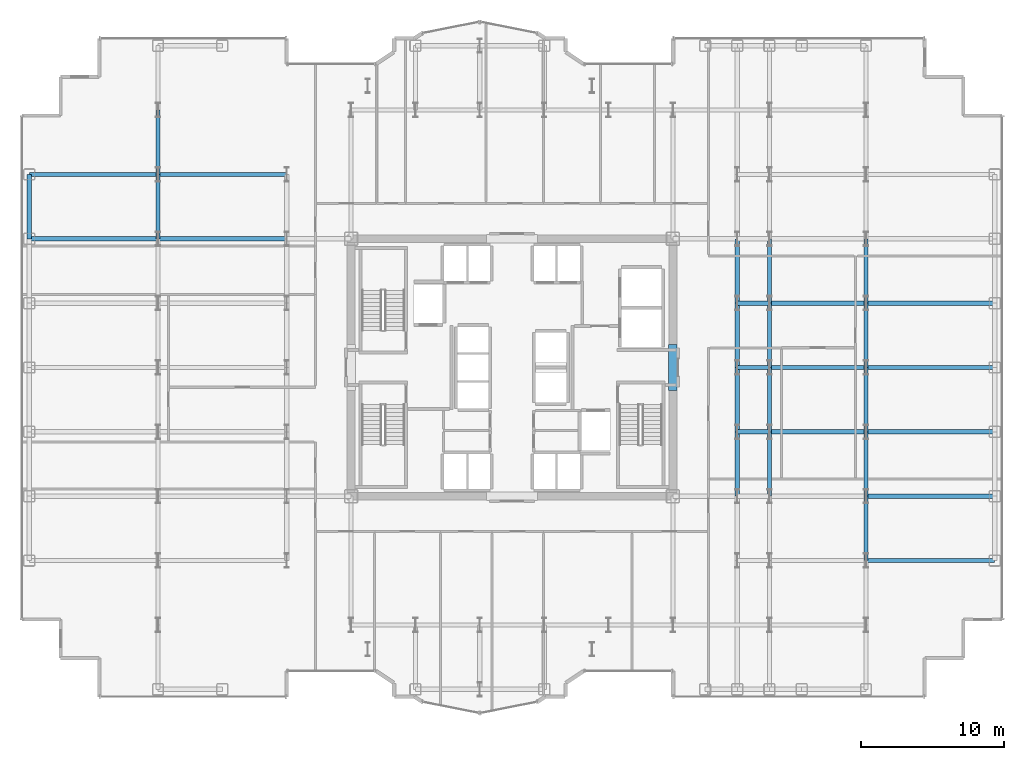
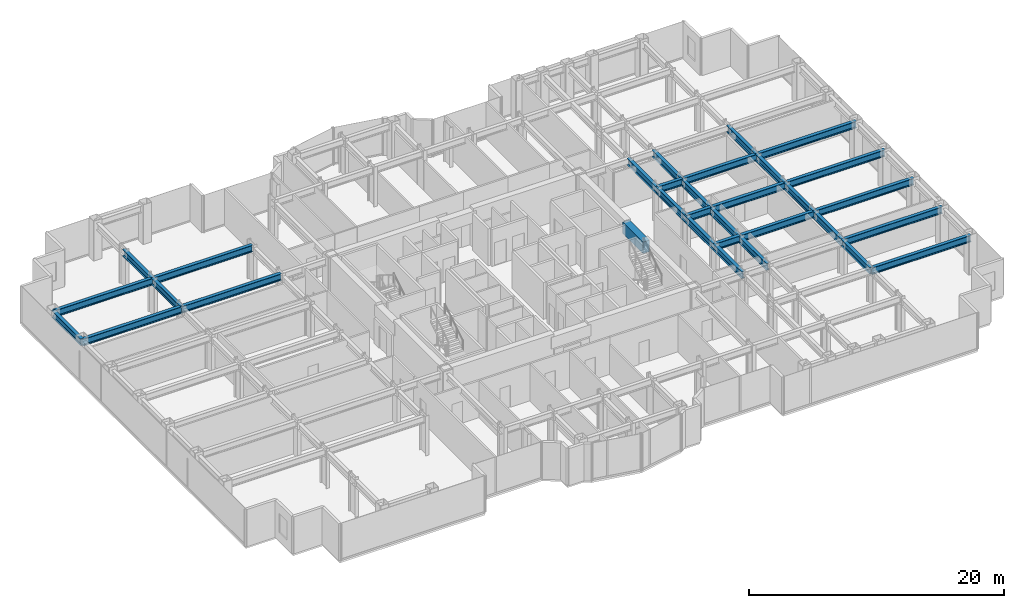
# One storey, part 8 of 26: 32 beams.
"""IFC4 building model written with IfcOpenShell, lengths in metres."""

import ifcopenshell
import ifcopenshell.guid

model = None  # the IFC model being written
_history = None  # IfcOwnerHistory: only IFC2X3 demands one
_inside = {}  # id of a spatial element -> (the spatial element, [elements in it])
_under = {}  # id of a project, library or spatial element -> (it, [spatial elements below it])
_declared = {}  # id of a project -> (the project, [libraries it declares])
_typed = {}  # id of a type object -> (the type object, [elements of that type])
_made_of = {}  # id of a material, layer set ... -> (it, [elements and type objects made of it])


def new_model(schema):
    """Start an empty IFC model of exactly this schema.

    Asked for "IFC4X3", IfcOpenShell would pick the latest addendum, in which some entities
    have other attributes; the version numbers below select the first issue.
    IFC2X3 requires an IfcOwnerHistory on every rooted entity: one is made here for all.
    """
    global model, _history
    if schema == "IFC4X3":
        model = ifcopenshell.file(schema_version=(4, 3, 0, 0))
    else:
        model = ifcopenshell.file(schema=schema)
    _inside.clear()
    _under.clear()
    _declared.clear()
    _typed.clear()
    _made_of.clear()
    _history = None
    if model.schema == "IFC2X3":
        org = make("IfcOrganization", Name="unknown")
        user = make(
            "IfcPersonAndOrganization",
            ThePerson=make("IfcPerson", FamilyName="unknown"),
            TheOrganization=org,
        )
        app = make(
            "IfcApplication",
            ApplicationDeveloper=org,
            Version="unknown",
            ApplicationFullName="unknown",
            ApplicationIdentifier="unknown",
        )
        _history = make(
            "IfcOwnerHistory",
            OwningUser=user,
            OwningApplication=app,
            ChangeAction="ADDED",
            CreationDate=0,
        )
    return model


def make(cls, **values):
    """One entity of the class cls with the attributes given. An attribute that is None is left unset."""
    return model.create_entity(
        cls, **{name: value for name, value in values.items() if value is not None}
    )


def rooted(cls, **values):
    """An entity with a GlobalId (a new one), such as an element, a storey or a relation."""
    return make(cls, GlobalId=ifcopenshell.guid.new(), OwnerHistory=_history, **values)


def si_unit(unit_type, name, prefix=None):
    """IfcSIUnit, for example si_unit("LENGTHUNIT", "METRE", prefix="MILLI")."""
    return make("IfcSIUnit", UnitType=unit_type, Prefix=prefix, Name=name)


def assignment(units):
    """IfcUnitAssignment: the units of a project."""
    return None if units is None else make("IfcUnitAssignment", Units=units)


def point(xyz):
    """IfcCartesianPoint."""
    return None if xyz is None else make("IfcCartesianPoint", Coordinates=xyz)


def direction(xyz):
    """IfcDirection."""
    return None if xyz is None else make("IfcDirection", DirectionRatios=xyz)


def frame(location, z_axis=None, x_axis=None):
    """IfcAxis2Placement3D, a coordinate frame: its origin and axes. An axis left out is left unset."""
    return make(
        "IfcAxis2Placement3D",
        Location=point(location),
        Axis=direction(z_axis),
        RefDirection=direction(x_axis),
    )


def frame_2d(location, x_axis=None):
    """IfcAxis2Placement2D, a coordinate frame in the plane: its origin and x axis."""
    return make(
        "IfcAxis2Placement2D", Location=point(location), RefDirection=direction(x_axis)
    )


def origin():
    """The frame at (0, 0, 0) with its axes left unset."""
    return frame((0.0, 0.0, 0.0))


def origin_2d():
    """The frame at (0, 0) in the plane with its x axis left unset."""
    return frame_2d((0.0, 0.0))


def place(relative_to, where):
    """IfcLocalPlacement: puts the frame where relative to a parent placement (None: the world)."""
    return make(
        "IfcLocalPlacement", PlacementRelTo=relative_to, RelativePlacement=where
    )


def context(
    kind, dimensions, precision=None, world=None, true_north=None, identifier=None
):
    """IfcGeometricRepresentationContext, for example the 3D "Model" context."""
    return make(
        "IfcGeometricRepresentationContext",
        ContextIdentifier=identifier,
        ContextType=kind,
        CoordinateSpaceDimension=dimensions,
        Precision=precision,
        WorldCoordinateSystem=world,
        TrueNorth=true_north,
    )


def subcontext(parent, identifier, kind, view, scale=None):
    """IfcGeometricRepresentationSubContext, for example "Body" below "Model"."""
    return make(
        "IfcGeometricRepresentationSubContext",
        ContextIdentifier=identifier,
        ContextType=kind,
        ParentContext=parent,
        TargetScale=scale,
        TargetView=view,
    )


def project(units=None, contexts=None):
    """IfcProject with its units and contexts."""
    return rooted(
        "IfcProject",
        Name="project",
        RepresentationContexts=contexts,
        UnitsInContext=assignment(units),
    )


def spatial(cls, under=None, at=None, **own):
    """A site, building, storey or space (cls), placed at a placement, below another one or the project."""
    s = rooted(cls, ObjectPlacement=at, **own)
    if under is not None:
        _under.setdefault(under.id(), (under, []))[1].append(s)
    return s


def profile(cls, at=None, kind="AREA", **sizes):
    """A parametric profile (cls). Its sizes go by their IFC names, for example OverallWidth=200.0."""
    return make(cls, ProfileType=kind, Position=at, **sizes)


def rectangle(**sizes):
    """IfcRectangleProfileDef."""
    return profile("IfcRectangleProfileDef", **sizes)


def i_section(**sizes):
    """IfcIShapeProfileDef."""
    return profile("IfcIShapeProfileDef", **sizes)


def extrude(swept, where, along, depth):
    """IfcExtrudedAreaSolid: the profile swept, set in the frame where, extruded along a direction by depth."""
    return make(
        "IfcExtrudedAreaSolid",
        SweptArea=swept,
        Position=where,
        ExtrudedDirection=direction(along),
        Depth=depth,
    )


def shape(context_of_items, identifier, shape_type, items):
    """IfcShapeRepresentation: the items that make up one representation, for example the "Body"."""
    return make(
        "IfcShapeRepresentation",
        ContextOfItems=context_of_items,
        RepresentationIdentifier=identifier,
        RepresentationType=shape_type,
        Items=items,
    )


def source(mapping_origin, context_of_items, identifier, shape_type, items):
    """IfcRepresentationMap: a shape defined once, which mapped items show again and again."""
    return make(
        "IfcRepresentationMap",
        MappingOrigin=mapping_origin,
        MappedRepresentation=shape(context_of_items, identifier, shape_type, items),
    )


def transform(
    local_origin,
    x_axis=None,
    y_axis=None,
    z_axis=None,
    scale=None,
    scale2=None,
    scale3=None,
    uniform=True,
):
    """IfcCartesianTransformationOperator3D, or its non-uniform kind. x_axis, y_axis, z_axis: its Axis1, 2, 3."""
    if uniform:
        return make(
            "IfcCartesianTransformationOperator3D",
            Axis1=direction(x_axis),
            Axis2=direction(y_axis),
            LocalOrigin=point(local_origin),
            Scale=scale,
            Axis3=direction(z_axis),
        )
    return make(
        "IfcCartesianTransformationOperator3DnonUniform",
        Axis1=direction(x_axis),
        Axis2=direction(y_axis),
        LocalOrigin=point(local_origin),
        Scale=scale,
        Axis3=direction(z_axis),
        Scale2=scale2,
        Scale3=scale3,
    )


def mapped(mapping_source, mapping_target):
    """IfcMappedItem: shows the shape of a source again, moved by a transform."""
    return make(
        "IfcMappedItem", MappingSource=mapping_source, MappingTarget=mapping_target
    )


def material(Name=None, Category=None):
    """IfcMaterial."""
    return make("IfcMaterial", Name=Name, Category=Category)


def material_profile(
    of_material, cross_section, Name=None, Category=None, Priority=None
):
    """IfcMaterialProfile: a cross section and its material."""
    return make(
        "IfcMaterialProfile",
        Name=Name,
        Material=of_material,
        Profile=cross_section,
        Priority=Priority,
        Category=Category,
    )


def profile_set(profiles, Name=None, composite=None):
    """IfcMaterialProfileSet."""
    return make(
        "IfcMaterialProfileSet",
        Name=Name,
        MaterialProfiles=profiles,
        CompositeProfile=composite,
    )


def made_of(thing, what):
    """Note that an element or type object is made of a material, layer set ...; save() writes the relation."""
    if what is not None:
        _made_of.setdefault(what.id(), (what, []))[1].append(thing)
    return thing


def type_object(cls, material=None, **own):
    """A type object (cls), such as IfcWallType, which elements share."""
    return made_of(rooted(cls, **own), material)


def element(
    cls,
    number,
    at=None,
    inside=None,
    cuts=None,
    type_object=None,
    material=None,
    context=None,
    identifier="Body",
    shape_type=None,
    held_by="IfcProductDefinitionShape",
    body=None,
    shapes=None,
    **own,
):
    """One element of the class cls, such as IfcWall. Its Tag is "e" and its number.

    at: its placement. inside: the storey or other place that contains it. cuts: it is an
    opening in that element (IfcRelVoidsElement). A single representation is given by context,
    identifier, shape_type and body (its items); several are given by shapes. held_by: the class
    of the entity that holds the representations. save() writes the other relations.
    """
    e = rooted(cls, Tag="e%d" % number, ObjectPlacement=at, **own)
    if body is not None:
        shapes = [shape(context, identifier, shape_type, body)]
    if shapes is not None:
        e.Representation = make(held_by, Representations=shapes)
    if inside is not None:
        _inside.setdefault(inside.id(), (inside, []))[1].append(e)
    if cuts is not None:
        rooted(
            "IfcRelVoidsElement", RelatingBuildingElement=cuts, RelatedOpeningElement=e
        )
    if type_object is not None:
        _typed.setdefault(type_object.id(), (type_object, []))[1].append(e)
    return made_of(e, material)


def aggregate(whole, parts):
    """IfcRelAggregates: a whole, such as a stair, and the parts it consists of."""
    return rooted("IfcRelAggregates", RelatingObject=whole, RelatedObjects=parts)


def save(model, path):
    """Write the relations noted so far, then the file.

    IfcRelAggregates (storeys below a building ...), IfcRelContainedInSpatialStructure (elements
    in a storey), IfcRelDefinesByType, IfcRelAssociatesMaterial and IfcRelDeclares: one each for
    every whole, place, type object, material and project.
    """
    for whole, parts in _under.values():
        aggregate(whole, parts)
    for where, things in _inside.values():
        rooted(
            "IfcRelContainedInSpatialStructure",
            RelatedElements=things,
            RelatingStructure=where,
        )
    for kind, things in _typed.values():
        rooted("IfcRelDefinesByType", RelatedObjects=things, RelatingType=kind)
    for what, things in _made_of.values():
        rooted("IfcRelAssociatesMaterial", RelatedObjects=things, RelatingMaterial=what)
    for by, libraries in _declared.values():
        rooted("IfcRelDeclares", RelatingContext=by, RelatedDefinitions=libraries)
    model.write(path)


model = new_model("IFC4")

# Units and contexts
model_context = context("Model", 3, precision=1e-05, world=origin(), true_north=direction((0.0, 1.0)))
body_context = subcontext(model_context, "Body", "Model", "MODEL_VIEW")
ifc_project = project(units=[si_unit("LENGTHUNIT", "METRE"), si_unit("AREAUNIT", "SQUARE_METRE"), si_unit("VOLUMEUNIT", "CUBIC_METRE"), si_unit("PLANEANGLEUNIT", "RADIAN"), si_unit("MASSUNIT", "GRAM", prefix="KILO")], contexts=[model_context])

# Site, building, storey
site_placement = place(None, origin())
site = spatial("IfcSite", under=ifc_project, at=site_placement, CompositionType="ELEMENT")
building_placement = place(site_placement, origin())
building = spatial("IfcBuilding", under=site, at=building_placement, Name="Nefas-Gora Pilgrimage Tower", CompositionType="ELEMENT")
storey_placement = place(building_placement, frame((0.0, 0.0, 121.199951171875)))
storey = spatial("IfcBuildingStorey", under=building, at=storey_placement, Name="L29", CompositionType="ELEMENT", Elevation=121.199951171875)

# Beams
ifc_material_1 = material(Name="Concrete C60/75", Category="concrete")
ifc_material_profile_1 = material_profile(ifc_material_1, rectangle(XDim=0.60009765625, YDim=1.10009765625, at=origin_2d()), Name="RC 600x1100")
ifc_profile_set_1 = profile_set([ifc_material_profile_1], Name="Concrete C60/75")
beam_type_1 = type_object("IfcBeamType", Name="BM-LIN-RC1100", PredefinedType="LINTEL", material=ifc_profile_set_1)
shared_shape_1 = source(origin(), body_context, "Body", "SweptSolid", [
    extrude(rectangle(XDim=0.60009765625, YDim=1.10009765625, at=origin_2d()), origin(), (0.0, 0.0, 1.0), 3.2001953125),
])
beam_1_placement = place(storey_placement, frame((11.25, -1.60009765625, 3.0), z_axis=(0.0, 1.0, 0.0), x_axis=(-1.0, 0.0, 0.0)))
element("IfcBeam", 1, at=beam_1_placement, inside=storey, type_object=beam_type_1, Name="L29 Core Coupling Lintel Beam E", PredefinedType="LINTEL", context=body_context, shape_type="MappedRepresentation", body=[
    mapped(shared_shape_1, transform((0.0, 0.0, 0.0), x_axis=(1.0, 0.0, 0.0), y_axis=(0.0, 1.0, 0.0), z_axis=(0.0, 0.0, 1.0), scale=1.0)),
])
ifc_material_2 = material(Name="Steel S355", Category="steel")
ifc_material_profile_2 = material_profile(ifc_material_2, i_section(OverallWidth=0.300048828125, OverallDepth=0.64990234375, WebThickness=0.01611328125, FlangeThickness=0.031005859375, FilletRadius=0.027099609375, at=origin_2d()), Name="HEB 650")
ifc_profile_set_2 = profile_set([ifc_material_profile_2], Name="Steel S355")
beam_type_2 = type_object("IfcBeamType", Name="BM-SPN-HEB500", PredefinedType="SPANDREL", material=ifc_profile_set_2)
shared_shape_2 = source(origin(), body_context, "Body", "SweptSolid", [
    extrude(i_section(OverallWidth=0.300048828125, OverallDepth=0.64990234375, WebThickness=0.01611328125, FlangeThickness=0.031005859375, FilletRadius=0.027099609375, at=origin_2d()), origin(), (0.0, 0.0, 1.0), 4.5),
])
beam_2_placement = place(storey_placement, frame((-33.75, 9.0, 3.22509765625), z_axis=(0.0, 1.0, 0.0), x_axis=(-1.0, 0.0, 0.0)))
element("IfcBeam", 2, at=beam_2_placement, inside=storey, type_object=beam_type_2, Name="L29 SP-02 beam", PredefinedType="SPANDREL", context=body_context, shape_type="MappedRepresentation", body=[
    mapped(shared_shape_2, transform((0.0, 0.0, 0.0), x_axis=(1.0, 0.0, 0.0), y_axis=(0.0, 1.0, 0.0), z_axis=(0.0, 0.0, 1.0), scale=1.0)),
])
ifc_material_profile_3 = material_profile(ifc_material_2, i_section(OverallWidth=0.300048828125, OverallDepth=0.64990234375, WebThickness=0.01611328125, FlangeThickness=0.031005859375, FilletRadius=0.027099609375, at=origin_2d()), Name="HEB 650")
ifc_profile_set_3 = profile_set([ifc_material_profile_3], Name="Steel S355")
beam_type_3 = type_object("IfcBeamType", Name="BM-GIR-HEB650", PredefinedType="BEAM", material=ifc_profile_set_3)
shared_shape_3 = source(origin(), body_context, "Body", "SweptSolid", [
    extrude(i_section(OverallWidth=0.300048828125, OverallDepth=0.64990234375, WebThickness=0.01611328125, FlangeThickness=0.031005859375, FilletRadius=0.027099609375, at=origin_2d()), origin(), (0.0, 0.0, 1.0), 9.0),
])
for number, where, z_axis, x_axis, name in (
    (3, (-33.75, 9.0, 3.22509765625), (1.0, 0.0, 0.0), (0.0, 1.0, 0.0), "L29 G-03 beam"),
    (4, (-33.75, 13.5, 3.22509765625), (1.0, 0.0, 0.0), (0.0, 1.0, 0.0), "L29 G-03 beam"),
    (5, (-24.75, 9.0, 3.22509765625), (1.0, 0.0, 0.0), (0.0, 1.0, 0.0), "L29 G-03 beam"),
    (6, (-24.75, 13.5, 3.22509765625), (1.0, 0.0, 0.0), (0.0, 1.0, 0.0), "L29 G-03 beam"),
    (7, (24.75, -13.5, 3.22509765625), (1.0, 0.0, 0.0), (0.0, 1.0, 0.0), "L29 G-03 beam"),
    (8, (24.75, -9.0, 3.22509765625), (1.0, 0.0, 0.0), (0.0, 1.0, 0.0), "L29 G-03 beam"),
    (9, (24.75, -4.5, 3.22509765625), (1.0, 0.0, 0.0), (0.0, 1.0, 0.0), "L29 G-03 beam"),
    (10, (24.75, 0.0, 3.22509765625), (1.0, 0.0, 0.0), (0.0, 1.0, 0.0), "L29 G-03 beam"),
    (11, (24.75, 4.5, 3.22509765625), (1.0, 0.0, 0.0), (0.0, 1.0, 0.0), "L29 G-03 beam"),
):
    element("IfcBeam", number, at=place(storey_placement, frame(where, z_axis=z_axis, x_axis=x_axis)), inside=storey, type_object=beam_type_3, Name=name, PredefinedType="BEAM", context=body_context, shape_type="MappedRepresentation", body=[
        mapped(shared_shape_3, transform((0.0, 0.0, 0.0), x_axis=(1.0, 0.0, 0.0), y_axis=(0.0, 1.0, 0.0), z_axis=(0.0, 0.0, 1.0), scale=1.0)),
    ])
shared_shape_4 = source(origin(), body_context, "Body", "SweptSolid", [
    extrude(i_section(OverallWidth=0.300048828125, OverallDepth=0.64990234375, WebThickness=0.01611328125, FlangeThickness=0.031005859375, FilletRadius=0.027099609375, at=origin_2d()), origin(), (0.0, 0.0, 1.0), 4.5),
])
for number, where, z_axis, x_axis, name in (
    (12, (-24.75, 9.0, 3.22509765625), (0.0, 1.0, 0.0), (-1.0, 0.0, 0.0), "L29 G-03 beam"),
    (13, (-24.75, 13.5, 3.22509765625), (0.0, 1.0, 0.0), (-1.0, 0.0, 0.0), "L29 G-03 beam"),
    (14, (15.75, -9.0, 3.22509765625), (0.0, 1.0, 0.0), (-1.0, 0.0, 0.0), "L29 G-03 beam"),
    (15, (15.75, -4.5, 3.22509765625), (0.0, 1.0, 0.0), (-1.0, 0.0, 0.0), "L29 G-03 beam"),
    (16, (15.75, 0.0, 3.22509765625), (0.0, 1.0, 0.0), (-1.0, 0.0, 0.0), "L29 G-03 beam"),
    (17, (15.75, 4.5, 3.22509765625), (0.0, 1.0, 0.0), (-1.0, 0.0, 0.0), "L29 G-03 beam"),
    (18, (18.0, -9.0, 3.22509765625), (0.0, 1.0, 0.0), (-1.0, 0.0, 0.0), "L29 G-03 beam"),
    (19, (18.0, -4.5, 3.22509765625), (0.0, 1.0, 0.0), (-1.0, 0.0, 0.0), "L29 G-03 beam"),
    (20, (18.0, 0.0, 3.22509765625), (0.0, 1.0, 0.0), (-1.0, 0.0, 0.0), "L29 G-03 beam"),
    (21, (18.0, 4.5, 3.22509765625), (0.0, 1.0, 0.0), (-1.0, 0.0, 0.0), "L29 G-03 beam"),
    (22, (24.75, -13.5, 3.22509765625), (0.0, 1.0, 0.0), (-1.0, 0.0, 0.0), "L29 G-03 beam"),
    (23, (24.75, -9.0, 3.22509765625), (0.0, 1.0, 0.0), (-1.0, 0.0, 0.0), "L29 G-03 beam"),
    (24, (24.75, -4.5, 3.22509765625), (0.0, 1.0, 0.0), (-1.0, 0.0, 0.0), "L29 G-03 beam"),
    (25, (24.75, 0.0, 3.22509765625), (0.0, 1.0, 0.0), (-1.0, 0.0, 0.0), "L29 G-03 beam"),
    (26, (24.75, 4.5, 3.22509765625), (0.0, 1.0, 0.0), (-1.0, 0.0, 0.0), "L29 G-03 beam"),
):
    element("IfcBeam", number, at=place(storey_placement, frame(where, z_axis=z_axis, x_axis=x_axis)), inside=storey, type_object=beam_type_3, Name=name, PredefinedType="BEAM", context=body_context, shape_type="MappedRepresentation", body=[
        mapped(shared_shape_4, transform((0.0, 0.0, 0.0), x_axis=(1.0, 0.0, 0.0), y_axis=(0.0, 1.0, 0.0), z_axis=(0.0, 0.0, 1.0), scale=1.0)),
    ])
shared_shape_5 = source(origin(), body_context, "Body", "SweptSolid", [
    extrude(i_section(OverallWidth=0.300048828125, OverallDepth=0.64990234375, WebThickness=0.01611328125, FlangeThickness=0.031005859375, FilletRadius=0.027099609375, at=origin_2d()), origin(), (0.0, 0.0, 1.0), 6.75),
])
for number, where, z_axis, x_axis, name in (
    (27, (18.0, -4.5, 3.22509765625), (1.0, 0.0, 0.0), (0.0, 1.0, 0.0), "L29 G-03 beam"),
    (28, (18.0, 0.0, 3.22509765625), (1.0, 0.0, 0.0), (0.0, 1.0, 0.0), "L29 G-03 beam"),
    (29, (18.0, 4.5, 3.22509765625), (1.0, 0.0, 0.0), (0.0, 1.0, 0.0), "L29 G-03 beam"),
):
    element("IfcBeam", number, at=place(storey_placement, frame(where, z_axis=z_axis, x_axis=x_axis)), inside=storey, type_object=beam_type_3, Name=name, PredefinedType="BEAM", context=body_context, shape_type="MappedRepresentation", body=[
        mapped(shared_shape_5, transform((0.0, 0.0, 0.0), x_axis=(1.0, 0.0, 0.0), y_axis=(0.0, 1.0, 0.0), z_axis=(0.0, 0.0, 1.0), scale=1.0)),
    ])
shared_shape_6 = source(origin(), body_context, "Body", "SweptSolid", [
    extrude(i_section(OverallWidth=0.300048828125, OverallDepth=0.64990234375, WebThickness=0.01611328125, FlangeThickness=0.031005859375, FilletRadius=0.027099609375, at=origin_2d()), origin(), (0.0, 0.0, 1.0), 2.25),
])
for number, where, z_axis, x_axis, name in (
    (30, (15.75, -4.5, 3.22509765625), (1.0, 0.0, 0.0), (0.0, 1.0, 0.0), "L29 G-03 beam"),
    (31, (15.75, 0.0, 3.22509765625), (1.0, 0.0, 0.0), (0.0, 1.0, 0.0), "L29 G-03 beam"),
    (32, (15.75, 4.5, 3.22509765625), (1.0, 0.0, 0.0), (0.0, 1.0, 0.0), "L29 G-03 beam"),
):
    element("IfcBeam", number, at=place(storey_placement, frame(where, z_axis=z_axis, x_axis=x_axis)), inside=storey, type_object=beam_type_3, Name=name, PredefinedType="BEAM", context=body_context, shape_type="MappedRepresentation", body=[
        mapped(shared_shape_6, transform((0.0, 0.0, 0.0), x_axis=(1.0, 0.0, 0.0), y_axis=(0.0, 1.0, 0.0), z_axis=(0.0, 0.0, 1.0), scale=1.0)),
    ])

save(model, "model.ifc")
